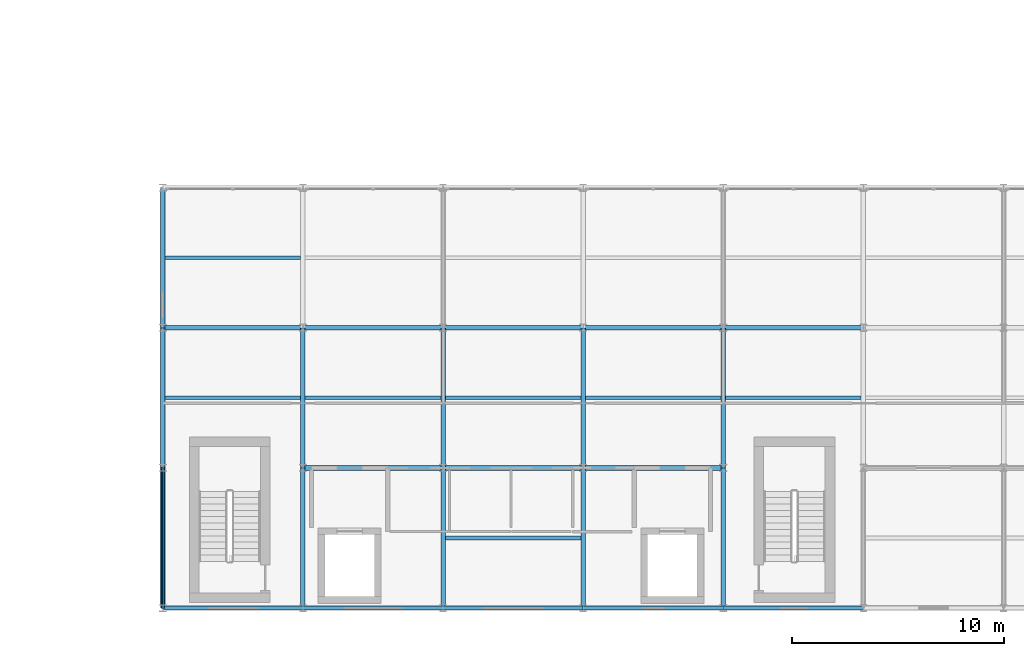
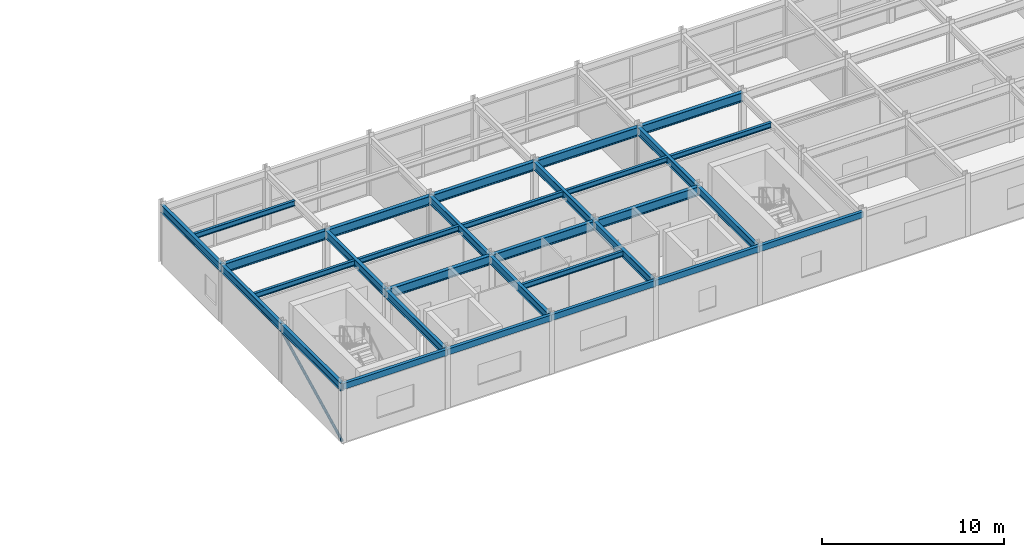
# One storey, part 42 of 106: 31 beams, 1 member.
"""IFC4 building model written with IfcOpenShell, lengths in metres."""

from ifc_helpers import new_model, si_unit, direction, frame, origin, origin_2d, place, context, subcontext, project, spatial, hollow_rectangle, hollow_circle, i_section, extrude, material, material_profile, profile_set, type_object, element, save


model = new_model("IFC4")

# Units and contexts
model_context = context("Model", 3, precision=1e-05, world=origin(), true_north=direction((0.0, 1.0)))
body_context = subcontext(model_context, "Body", "Model", "MODEL_VIEW")
ifc_project = project(units=[si_unit("LENGTHUNIT", "METRE"), si_unit("AREAUNIT", "SQUARE_METRE"), si_unit("VOLUMEUNIT", "CUBIC_METRE"), si_unit("PLANEANGLEUNIT", "RADIAN"), si_unit("MASSUNIT", "GRAM", prefix="KILO")], contexts=[model_context])

# Site, building, storey
site_placement = place(None, origin())
site = spatial("IfcSite", under=ifc_project, at=site_placement, CompositionType="ELEMENT")
building_placement = place(site_placement, origin())
building = spatial("IfcBuilding", under=site, at=building_placement, Name="Karori Crest Natural Sciences Institute", CompositionType="ELEMENT")
storey_placement = place(building_placement, frame((0.0, 0.0, 25.89990234375)))
storey = spatial("IfcBuildingStorey", under=building, at=storey_placement, Name="L06", CompositionType="ELEMENT", Elevation=25.89990234375)

# Beams
ifc_material_1 = material(Name="Structural steel AS/NZS 3679.1 Grade 350", Category="steel")
ifc_material_profile_1 = material_profile(ifc_material_1, i_section(OverallWidth=0.22900390625, OverallDepth=0.612060546875, WebThickness=0.011962890625, FlangeThickness=0.01953125, FilletRadius=0.013916015625, at=origin_2d()), Name="610UB125")
ifc_profile_set_1 = profile_set([ifc_material_profile_1], Name="Structural steel AS/NZS 3679.1 Grade 350")
beam_type_1 = type_object("IfcBeamType", Name="BT-04", PredefinedType="BEAM", material=ifc_profile_set_1)
beam_1_placement = place(storey_placement, frame((110.199951171875, 7.39990234375, 3.614013671875), z_axis=(1.0, 0.0, 0.0), x_axis=(0.0, 1.0, 0.0)))
element("IfcBeam", 1, at=beam_1_placement, inside=storey, type_object=beam_type_1, Name="Beam B-2549", PredefinedType="BEAM", context=body_context, shape_type="SweptSolid", body=[
    extrude(i_section(OverallWidth=0.22900390625, OverallDepth=0.612060546875, WebThickness=0.011962890625, FlangeThickness=0.01953125, FilletRadius=0.013916015625, at=origin_2d()), origin(), (0.0, 0.0, 1.0), 6.60009765625),
])
beam_2_placement = place(storey_placement, frame((116.800048828125, 7.39990234375, 3.614013671875), z_axis=(1.0, 0.0, 0.0), x_axis=(0.0, 1.0, 0.0)))
element("IfcBeam", 2, at=beam_2_placement, inside=storey, type_object=beam_type_1, Name="Beam B-2550", PredefinedType="BEAM", context=body_context, shape_type="SweptSolid", body=[
    extrude(i_section(OverallWidth=0.22900390625, OverallDepth=0.612060546875, WebThickness=0.011962890625, FlangeThickness=0.01953125, FilletRadius=0.013916015625, at=origin_2d()), origin(), (0.0, 0.0, 1.0), 6.599853515625),
])
beam_3_placement = place(storey_placement, frame((123.39990234375, 7.39990234375, 3.614013671875), z_axis=(1.0, 0.0, 0.0), x_axis=(0.0, 1.0, 0.0)))
element("IfcBeam", 3, at=beam_3_placement, inside=storey, type_object=beam_type_1, Name="Beam B-2551", PredefinedType="BEAM", context=body_context, shape_type="SweptSolid", body=[
    extrude(i_section(OverallWidth=0.22900390625, OverallDepth=0.612060546875, WebThickness=0.011962890625, FlangeThickness=0.01953125, FilletRadius=0.013916015625, at=origin_2d()), origin(), (0.0, 0.0, 1.0), 6.60009765625),
])
beam_4_placement = place(storey_placement, frame((103.60009765625, 14.0, 3.614013671875), z_axis=(1.0, 0.0, 0.0), x_axis=(0.0, 1.0, 0.0)))
element("IfcBeam", 4, at=beam_4_placement, inside=storey, type_object=beam_type_1, Name="Beam B-2555", PredefinedType="BEAM", context=body_context, shape_type="SweptSolid", body=[
    extrude(i_section(OverallWidth=0.22900390625, OverallDepth=0.612060546875, WebThickness=0.011962890625, FlangeThickness=0.01953125, FilletRadius=0.013916015625, at=origin_2d()), origin(), (0.0, 0.0, 1.0), 6.599853515625),
])
beam_5_placement = place(storey_placement, frame((110.199951171875, 14.0, 3.614013671875), z_axis=(1.0, 0.0, 0.0), x_axis=(0.0, 1.0, 0.0)))
element("IfcBeam", 5, at=beam_5_placement, inside=storey, type_object=beam_type_1, Name="Beam B-2556", PredefinedType="BEAM", context=body_context, shape_type="SweptSolid", body=[
    extrude(i_section(OverallWidth=0.22900390625, OverallDepth=0.612060546875, WebThickness=0.011962890625, FlangeThickness=0.01953125, FilletRadius=0.013916015625, at=origin_2d()), origin(), (0.0, 0.0, 1.0), 6.60009765625),
])
beam_6_placement = place(storey_placement, frame((116.800048828125, 14.0, 3.614013671875), z_axis=(1.0, 0.0, 0.0), x_axis=(0.0, 1.0, 0.0)))
element("IfcBeam", 6, at=beam_6_placement, inside=storey, type_object=beam_type_1, Name="Beam B-2557", PredefinedType="BEAM", context=body_context, shape_type="SweptSolid", body=[
    extrude(i_section(OverallWidth=0.22900390625, OverallDepth=0.612060546875, WebThickness=0.011962890625, FlangeThickness=0.01953125, FilletRadius=0.013916015625, at=origin_2d()), origin(), (0.0, 0.0, 1.0), 6.599853515625),
])
for number, where, z_axis, x_axis, name in (
    (7, (123.39990234375, 14.0, 3.614013671875), (1.0, 0.0, 0.0), (0.0, 1.0, 0.0), "Beam B-2558"),
    (8, (130.0, 14.0, 3.614013671875), (1.0, 0.0, 0.0), (0.0, 1.0, 0.0), "Beam B-2559"),
):
    element("IfcBeam", number, at=place(storey_placement, frame(where, z_axis=z_axis, x_axis=x_axis)), inside=storey, type_object=beam_type_1, Name=name, PredefinedType="BEAM", context=body_context, shape_type="SweptSolid", body=[
        extrude(i_section(OverallWidth=0.22900390625, OverallDepth=0.612060546875, WebThickness=0.011962890625, FlangeThickness=0.01953125, FilletRadius=0.013916015625, at=origin_2d()), origin(), (0.0, 0.0, 1.0), 6.60009765625),
    ])
ifc_material_profile_2 = material_profile(ifc_material_1, i_section(OverallWidth=0.208984375, OverallDepth=0.532958984375, WebThickness=0.01025390625, FlangeThickness=0.015625, FilletRadius=0.013916015625, at=origin_2d()), Name="530UB92.4")
ifc_profile_set_2 = profile_set([ifc_material_profile_2], Name="Structural steel AS/NZS 3679.1 Grade 350")
beam_type_2 = type_object("IfcBeamType", Name="BT-05", PredefinedType="BEAM", material=ifc_profile_set_2)
beam_7_placement = place(storey_placement, frame((110.199951171875, 0.800048828125, 3.653564453125), z_axis=(0.0, 1.0, 0.0), x_axis=(-1.0, 0.0, 0.0)))
element("IfcBeam", 9, at=beam_7_placement, inside=storey, type_object=beam_type_2, Name="Beam B-2574", PredefinedType="BEAM", context=body_context, shape_type="SweptSolid", body=[
    extrude(i_section(OverallWidth=0.208984375, OverallDepth=0.532958984375, WebThickness=0.01025390625, FlangeThickness=0.015625, FilletRadius=0.013916015625, at=origin_2d()), origin(), (0.0, 0.0, 1.0), 6.599853515625),
])
beam_8_placement = place(storey_placement, frame((110.199951171875, 7.39990234375, 3.653564453125), z_axis=(0.0, 1.0, 0.0), x_axis=(-1.0, 0.0, 0.0)))
element("IfcBeam", 10, at=beam_8_placement, inside=storey, type_object=beam_type_2, Name="Beam B-2575", PredefinedType="BEAM", context=body_context, shape_type="SweptSolid", body=[
    extrude(i_section(OverallWidth=0.208984375, OverallDepth=0.532958984375, WebThickness=0.01025390625, FlangeThickness=0.015625, FilletRadius=0.013916015625, at=origin_2d()), origin(), (0.0, 0.0, 1.0), 6.60009765625),
])
beam_9_placement = place(storey_placement, frame((116.800048828125, 0.800048828125, 3.653564453125), z_axis=(0.0, 1.0, 0.0), x_axis=(-1.0, 0.0, 0.0)))
element("IfcBeam", 11, at=beam_9_placement, inside=storey, type_object=beam_type_2, Name="Beam B-2577", PredefinedType="BEAM", context=body_context, shape_type="SweptSolid", body=[
    extrude(i_section(OverallWidth=0.208984375, OverallDepth=0.532958984375, WebThickness=0.01025390625, FlangeThickness=0.015625, FilletRadius=0.013916015625, at=origin_2d()), origin(), (0.0, 0.0, 1.0), 6.599853515625),
])
beam_10_placement = place(storey_placement, frame((116.800048828125, 7.39990234375, 3.653564453125), z_axis=(0.0, 1.0, 0.0), x_axis=(-1.0, 0.0, 0.0)))
element("IfcBeam", 12, at=beam_10_placement, inside=storey, type_object=beam_type_2, Name="Beam B-2578", PredefinedType="BEAM", context=body_context, shape_type="SweptSolid", body=[
    extrude(i_section(OverallWidth=0.208984375, OverallDepth=0.532958984375, WebThickness=0.01025390625, FlangeThickness=0.015625, FilletRadius=0.013916015625, at=origin_2d()), origin(), (0.0, 0.0, 1.0), 6.60009765625),
])
beam_11_placement = place(storey_placement, frame((123.39990234375, 0.800048828125, 3.653564453125), z_axis=(0.0, 1.0, 0.0), x_axis=(-1.0, 0.0, 0.0)))
element("IfcBeam", 13, at=beam_11_placement, inside=storey, type_object=beam_type_2, Name="Beam B-2580", PredefinedType="BEAM", context=body_context, shape_type="SweptSolid", body=[
    extrude(i_section(OverallWidth=0.208984375, OverallDepth=0.532958984375, WebThickness=0.01025390625, FlangeThickness=0.015625, FilletRadius=0.013916015625, at=origin_2d()), origin(), (0.0, 0.0, 1.0), 6.599853515625),
])
beam_12_placement = place(storey_placement, frame((123.39990234375, 7.39990234375, 3.653564453125), z_axis=(0.0, 1.0, 0.0), x_axis=(-1.0, 0.0, 0.0)))
element("IfcBeam", 14, at=beam_12_placement, inside=storey, type_object=beam_type_2, Name="Beam B-2581", PredefinedType="BEAM", context=body_context, shape_type="SweptSolid", body=[
    extrude(i_section(OverallWidth=0.208984375, OverallDepth=0.532958984375, WebThickness=0.01025390625, FlangeThickness=0.015625, FilletRadius=0.013916015625, at=origin_2d()), origin(), (0.0, 0.0, 1.0), 6.60009765625),
])
beam_13_placement = place(storey_placement, frame((130.0, 0.800048828125, 3.653564453125), z_axis=(0.0, 1.0, 0.0), x_axis=(-1.0, 0.0, 0.0)))
element("IfcBeam", 15, at=beam_13_placement, inside=storey, type_object=beam_type_2, Name="Beam B-2583", PredefinedType="BEAM", context=body_context, shape_type="SweptSolid", body=[
    extrude(i_section(OverallWidth=0.208984375, OverallDepth=0.532958984375, WebThickness=0.01025390625, FlangeThickness=0.015625, FilletRadius=0.013916015625, at=origin_2d()), origin(), (0.0, 0.0, 1.0), 6.599853515625),
])
beam_14_placement = place(storey_placement, frame((130.0, 7.39990234375, 3.653564453125), z_axis=(0.0, 1.0, 0.0), x_axis=(-1.0, 0.0, 0.0)))
element("IfcBeam", 16, at=beam_14_placement, inside=storey, type_object=beam_type_2, Name="Beam B-2584", PredefinedType="BEAM", context=body_context, shape_type="SweptSolid", body=[
    extrude(i_section(OverallWidth=0.208984375, OverallDepth=0.532958984375, WebThickness=0.01025390625, FlangeThickness=0.015625, FilletRadius=0.013916015625, at=origin_2d()), origin(), (0.0, 0.0, 1.0), 6.60009765625),
])
ifc_material_profile_3 = material_profile(ifc_material_1, i_section(OverallWidth=0.208984375, OverallDepth=0.532958984375, WebThickness=0.01025390625, FlangeThickness=0.015625, FilletRadius=0.013916015625, at=origin_2d()), Name="530UB92.4")
ifc_profile_set_3 = profile_set([ifc_material_profile_3], Name="Structural steel AS/NZS 3679.1 Grade 350")
beam_type_3 = type_object("IfcBeamType", Name="BT-05-EL", PredefinedType="BEAM", material=ifc_profile_set_3)
beam_15_placement = place(storey_placement, frame((103.60009765625, 0.800048828125, 3.653564453125), z_axis=(0.0, 1.0, 0.0), x_axis=(-1.0, 0.0, 0.0)))
element("IfcBeam", 17, at=beam_15_placement, inside=storey, type_object=beam_type_3, Name="Beam B-2571", PredefinedType="BEAM", context=body_context, shape_type="SweptSolid", body=[
    extrude(i_section(OverallWidth=0.208984375, OverallDepth=0.532958984375, WebThickness=0.01025390625, FlangeThickness=0.015625, FilletRadius=0.013916015625, at=origin_2d()), origin(), (0.0, 0.0, 1.0), 6.599853515625),
])
for number, where, z_axis, x_axis, name in (
    (18, (103.60009765625, 7.39990234375, 3.653564453125), (0.0, 1.0, 0.0), (-1.0, 0.0, 0.0), "Beam B-2572"),
    (19, (103.60009765625, 14.0, 3.653564453125), (0.0, 1.0, 0.0), (-1.0, 0.0, 0.0), "Beam B-2573"),
):
    element("IfcBeam", number, at=place(storey_placement, frame(where, z_axis=z_axis, x_axis=x_axis)), inside=storey, type_object=beam_type_3, Name=name, PredefinedType="BEAM", context=body_context, shape_type="SweptSolid", body=[
        extrude(i_section(OverallWidth=0.208984375, OverallDepth=0.532958984375, WebThickness=0.01025390625, FlangeThickness=0.015625, FilletRadius=0.013916015625, at=origin_2d()), origin(), (0.0, 0.0, 1.0), 6.60009765625),
    ])
ifc_material_profile_4 = material_profile(ifc_material_1, i_section(OverallWidth=0.172119140625, OverallDepth=0.35888671875, WebThickness=0.008056640625, FlangeThickness=0.012939453125, FilletRadius=0.010986328125, at=origin_2d()), Name="360UB56.7")
ifc_profile_set_4 = profile_set([ifc_material_profile_4], Name="Structural steel AS/NZS 3679.1 Grade 350")
beam_type_4 = type_object("IfcBeamType", Name="BT-08", PredefinedType="BEAM", material=ifc_profile_set_4)
for number, where, z_axis, x_axis, name in (
    (20, (103.70458984375, 10.699951171875, 3.740478515625), (1.0, 0.0, 0.0), (0.0, 1.0, 0.0), "Beam B-2598"),
    (21, (103.70458984375, 17.300048828125, 3.740478515625), (1.0, 0.0, 0.0), (0.0, 1.0, 0.0), "Beam B-2599"),
):
    element("IfcBeam", number, at=place(storey_placement, frame(where, z_axis=z_axis, x_axis=x_axis)), inside=storey, type_object=beam_type_4, Name=name, PredefinedType="BEAM", context=body_context, shape_type="SweptSolid", body=[
        extrude(i_section(OverallWidth=0.172119140625, OverallDepth=0.35888671875, WebThickness=0.008056640625, FlangeThickness=0.012939453125, FilletRadius=0.010986328125, at=origin_2d()), origin(), (0.0, 0.0, 1.0), 6.390869140625),
    ])
beam_16_placement = place(storey_placement, frame((110.304443359375, 10.699951171875, 3.740478515625), z_axis=(1.0, 0.0, 0.0), x_axis=(0.0, 1.0, 0.0)))
element("IfcBeam", 22, at=beam_16_placement, inside=storey, type_object=beam_type_4, Name="Beam B-2600", PredefinedType="BEAM", context=body_context, shape_type="SweptSolid", body=[
    extrude(i_section(OverallWidth=0.172119140625, OverallDepth=0.35888671875, WebThickness=0.008056640625, FlangeThickness=0.012939453125, FilletRadius=0.010986328125, at=origin_2d()), origin(), (0.0, 0.0, 1.0), 6.39111328125),
])
for number, where, z_axis, x_axis, name in (
    (23, (116.904541015625, 4.10009765625, 3.740478515625), (1.0, 0.0, 0.0), (0.0, 1.0, 0.0), "Beam B-2602"),
    (24, (116.904541015625, 10.699951171875, 3.740478515625), (1.0, 0.0, 0.0), (0.0, 1.0, 0.0), "Beam B-2603"),
):
    element("IfcBeam", number, at=place(storey_placement, frame(where, z_axis=z_axis, x_axis=x_axis)), inside=storey, type_object=beam_type_4, Name=name, PredefinedType="BEAM", context=body_context, shape_type="SweptSolid", body=[
        extrude(i_section(OverallWidth=0.172119140625, OverallDepth=0.35888671875, WebThickness=0.008056640625, FlangeThickness=0.012939453125, FilletRadius=0.010986328125, at=origin_2d()), origin(), (0.0, 0.0, 1.0), 6.390869140625),
    ])
for number, where, z_axis, x_axis, name in (
    (25, (123.50439453125, 10.699951171875, 3.740478515625), (1.0, 0.0, 0.0), (0.0, 1.0, 0.0), "Beam B-2605"),
    (26, (130.1044921875, 10.699951171875, 3.740478515625), (1.0, 0.0, 0.0), (0.0, 1.0, 0.0), "Beam B-2607"),
):
    element("IfcBeam", number, at=place(storey_placement, frame(where, z_axis=z_axis, x_axis=x_axis)), inside=storey, type_object=beam_type_4, Name=name, PredefinedType="BEAM", context=body_context, shape_type="SweptSolid", body=[
        extrude(i_section(OverallWidth=0.172119140625, OverallDepth=0.35888671875, WebThickness=0.008056640625, FlangeThickness=0.012939453125, FilletRadius=0.010986328125, at=origin_2d()), origin(), (0.0, 0.0, 1.0), 6.39111328125),
    ])
ifc_material_2 = material(Name="Hollow structural steel AS/NZS 1163 Grade C350", Category="steel")
ifc_material_profile_5 = material_profile(ifc_material_2, hollow_rectangle(XDim=0.199951171875, YDim=0.39990234375, WallThickness=0.012451171875, at=origin_2d()), Name="RHS400x200x12.5")
ifc_profile_set_5 = profile_set([ifc_material_profile_5], Name="Hollow structural steel AS/NZS 1163 Grade C350")
beam_type_5 = type_object("IfcBeamType", Name="BT-14", PredefinedType="SPANDREL", material=ifc_profile_set_5)
beam_17_placement = place(storey_placement, frame((103.60009765625, 0.800048828125, 3.72021484375), z_axis=(1.0, 0.0, 0.0), x_axis=(0.0, 1.0, 0.0)))
element("IfcBeam", 27, at=beam_17_placement, inside=storey, type_object=beam_type_5, Name="Beam B-2541", PredefinedType="SPANDREL", context=body_context, shape_type="SweptSolid", body=[
    extrude(hollow_rectangle(XDim=0.199951171875, YDim=0.39990234375, WallThickness=0.012451171875, at=origin_2d()), origin(), (0.0, 0.0, 1.0), 6.599853515625),
])
beam_18_placement = place(storey_placement, frame((110.199951171875, 0.800048828125, 3.72021484375), z_axis=(1.0, 0.0, 0.0), x_axis=(0.0, 1.0, 0.0)))
element("IfcBeam", 28, at=beam_18_placement, inside=storey, type_object=beam_type_5, Name="Beam B-2542", PredefinedType="SPANDREL", context=body_context, shape_type="SweptSolid", body=[
    extrude(hollow_rectangle(XDim=0.199951171875, YDim=0.39990234375, WallThickness=0.012451171875, at=origin_2d()), origin(), (0.0, 0.0, 1.0), 6.60009765625),
])
beam_19_placement = place(storey_placement, frame((116.800048828125, 0.800048828125, 3.72021484375), z_axis=(1.0, 0.0, 0.0), x_axis=(0.0, 1.0, 0.0)))
element("IfcBeam", 29, at=beam_19_placement, inside=storey, type_object=beam_type_5, Name="Beam B-2543", PredefinedType="SPANDREL", context=body_context, shape_type="SweptSolid", body=[
    extrude(hollow_rectangle(XDim=0.199951171875, YDim=0.39990234375, WallThickness=0.012451171875, at=origin_2d()), origin(), (0.0, 0.0, 1.0), 6.599853515625),
])
for number, where, z_axis, x_axis, name in (
    (30, (123.39990234375, 0.800048828125, 3.72021484375), (1.0, 0.0, 0.0), (0.0, 1.0, 0.0), "Beam B-2544"),
    (31, (130.0, 0.800048828125, 3.72021484375), (1.0, 0.0, 0.0), (0.0, 1.0, 0.0), "Beam B-2545"),
):
    element("IfcBeam", number, at=place(storey_placement, frame(where, z_axis=z_axis, x_axis=x_axis)), inside=storey, type_object=beam_type_5, Name=name, PredefinedType="SPANDREL", context=body_context, shape_type="SweptSolid", body=[
        extrude(hollow_rectangle(XDim=0.199951171875, YDim=0.39990234375, WallThickness=0.012451171875, at=origin_2d()), origin(), (0.0, 0.0, 1.0), 6.60009765625),
    ])

# Member
ifc_material_profile_6 = material_profile(ifc_material_2, hollow_circle(Radius=0.084228515625, WallThickness=0.007080078125, at=origin_2d()), Name="CHS168.3x7.1")
ifc_profile_set_6 = profile_set([ifc_material_profile_6], Name="Hollow structural steel AS/NZS 1163 Grade C350")
member_type = type_object("IfcMemberType", Name="MT-03", PredefinedType="BRACE", material=ifc_profile_set_6)
member_placement = place(storey_placement, frame((103.60009765625, 0.800048828125, 0.010009765625), z_axis=(0.0, 0.893983612757, 0.448099654232), x_axis=(-1.0, 0.0, 0.0)))
element("IfcMember", 32, at=member_placement, inside=storey, type_object=member_type, Name="Diagonal Brace M-0451", PredefinedType="BRACE", context=body_context, shape_type="SweptSolid", body=[
    extrude(hollow_circle(Radius=0.084228515625, WallThickness=0.007080078125, at=origin_2d()), origin(), (0.0, 0.0, 1.0), 7.382568359375),
])

save(model, "model.ifc")
